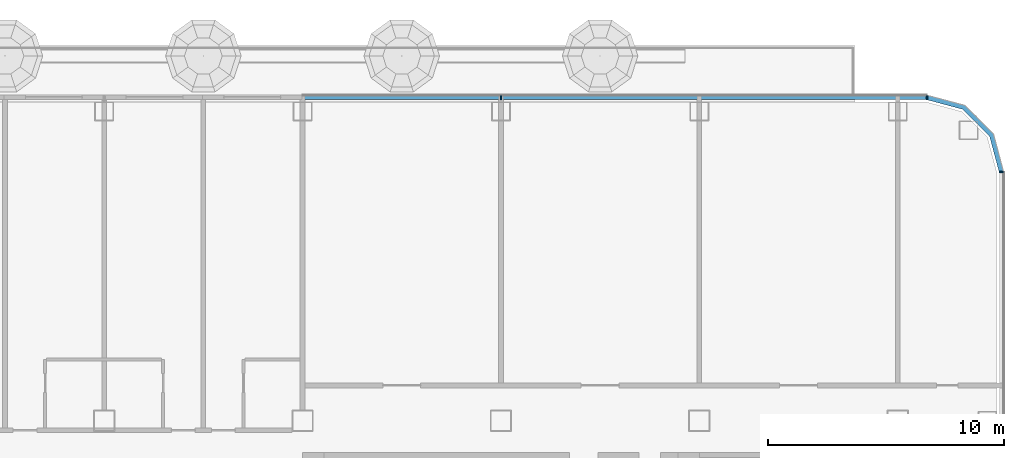
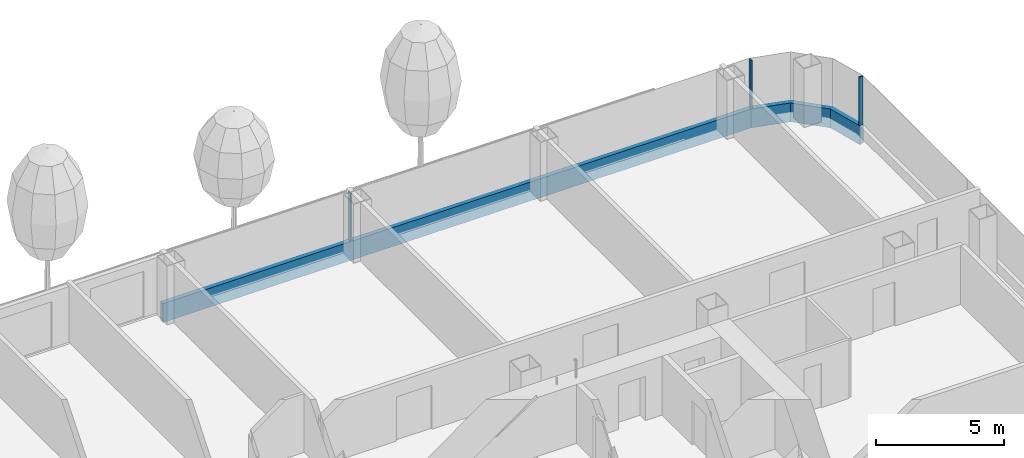
# One storey, part 9 of 34: 5 members, 3 elements without a shape of their own.
"""IFC4 building model written with IfcOpenShell, lengths in metres."""

from ifc_helpers import new_model, si_unit, direction, frame, origin, origin_2d, place, context, subcontext, project, spatial, polyline, rectangle, outline, extrude, material, layer, layer_set, material_profile, profile_set, type_object, element, aggregate, save


model = new_model("IFC4")

# Units and contexts
model_context = context("Model", 3, precision=1e-05, world=origin(), true_north=direction((0.0, 1.0)))
body_context = subcontext(model_context, "Body", "Model", "MODEL_VIEW")
ifc_project = project(units=[si_unit("LENGTHUNIT", "METRE"), si_unit("AREAUNIT", "SQUARE_METRE"), si_unit("VOLUMEUNIT", "CUBIC_METRE"), si_unit("PLANEANGLEUNIT", "RADIAN"), si_unit("MASSUNIT", "GRAM", prefix="KILO")], contexts=[model_context])

# Site, building, storey
site_placement = place(None, origin())
site = spatial("IfcSite", under=ifc_project, at=site_placement, CompositionType="ELEMENT")
building_placement = place(site_placement, origin())
building = spatial("IfcBuilding", under=site, at=building_placement, Name="Hakoniwa Tower and Hamabe Station Hall", CompositionType="ELEMENT")
storey_placement = place(building_placement, frame((0.0, 0.0, 94.60009765625)))
storey = spatial("IfcBuildingStorey", under=building, at=storey_placement, Name="L26", CompositionType="ELEMENT", Elevation=94.60009765625)

# Curtain wall, member
ifc_material_1 = material(Name="Dark low-e laminated glass", Category="glass")
ifc_layer = layer(ifc_material_1, 0.199951171875)
ifc_layer_set = layer_set([ifc_layer], Name="CW-1 UNITISED GUEST")
curtain_wall_type = type_object("IfcCurtainWallType", Name="CW-1 UNITISED GUEST", PredefinedType="NOTDEFINED", material=ifc_layer_set)
curtain_wall_1_placement = place(storey_placement, origin())
curtain_wall_1 = element("IfcCurtainWall", 1, at=curtain_wall_1_placement, inside=storey, type_object=curtain_wall_type, Name="CW-1 curtain wall", PredefinedType="NOTDEFINED")
ifc_material_2 = material(Name="Aluminium 6063-T5 black anodised", Category="aluminium")
ifc_material_profile_1 = material_profile(ifc_material_2, rectangle(XDim=0.199951171875, YDim=0.89990234375, at=origin_2d()), Name="CW SLAB-EDGE BAND 900X200")
ifc_profile_set_1 = profile_set([ifc_material_profile_1], Name="Aluminium 6063-T5 black anodised")
member_type_1 = type_object("IfcMemberType", Name="CW SLAB-EDGE BAND 900X200", PredefinedType="USERDEFINED", material=ifc_profile_set_1)
member_1_placement = place(storey_placement, frame((0.0, 0.0, -0.550048828125)))
member_1 = element("IfcMember", 2, at=member_1_placement, type_object=member_type_1, Name="CW-1 transom", ObjectType="TRANSOM", PredefinedType="USERDEFINED", context=body_context, shape_type="SweptSolid", body=[
    extrude(outline(polyline([(46.5, 20.28955078125), (46.067138671875, 21.9052734375), (44.855224609375, 23.116943359375), (43.239501953125, 23.550048828125), (43.187744140625, 23.35693359375), (44.751708984375, 22.937744140625), (45.8876953125, 21.8017578125), (46.306884765625, 20.23779296875), (46.5, 20.28955078125)])), origin(), (0.0, 0.0, 1.0), 0.89990234375),
])
aggregate(curtain_wall_1, [member_1])

curtain_wall_2_placement = place(storey_placement, origin())
curtain_wall_2 = element("IfcCurtainWall", 3, at=curtain_wall_2_placement, inside=storey, type_object=curtain_wall_type, Name="CW-1 curtain wall", PredefinedType="NOTDEFINED")
member_2_placement = place(storey_placement, frame((43.239501953125, 23.449951171875, -0.10009765625), z_axis=(-1.0, 0.0, 0.0), x_axis=(0.0, -1.0, 0.0)))
member_2 = element("IfcMember", 4, at=member_2_placement, type_object=member_type_1, Name="CW-1 transom", ObjectType="TRANSOM", PredefinedType="USERDEFINED", context=body_context, shape_type="SweptSolid", body=[
    extrude(rectangle(XDim=0.199951171875, YDim=0.89990234375, at=origin_2d()), origin(), (0.0, 0.0, 1.0), 26.49951171875),
])

curtain_wall_3_placement = place(storey_placement, origin())
curtain_wall_3 = element("IfcCurtainWall", 5, at=curtain_wall_3_placement, inside=storey, type_object=curtain_wall_type, Name="CW-1 curtain wall", PredefinedType="NOTDEFINED")
ifc_material_3 = material(Name="Aluminium 6063-T5 black anodised", Category="aluminium")
ifc_material_profile_2 = material_profile(ifc_material_3, rectangle(XDim=0.06005859375, YDim=0.179931640625, at=origin_2d()), Name="CW-1 MULLION 60X180")
ifc_profile_set_2 = profile_set([ifc_material_profile_2], Name="Aluminium 6063-T5 black anodised")
member_type_2 = type_object("IfcMemberType", Name="CW-1 MULLION 60X180", PredefinedType="MULLION", material=ifc_profile_set_2)
member_3_placement = place(storey_placement, frame((46.382080078125, 20.28955078125, 0.349853515625), z_axis=(0.0, 0.0, 1.0), x_axis=(0.0, 1.0, 0.0)))
member_3 = element("IfcMember", 6, at=member_3_placement, type_object=member_type_2, Name="CW-1 mullion", PredefinedType="MULLION", context=body_context, shape_type="SweptSolid", body=[
    extrude(rectangle(XDim=0.06005859375, YDim=0.179931640625, at=origin_2d()), origin(), (0.0, 0.0, 1.0), 2.300048828125),
])
aggregate(curtain_wall_3, [member_3])

# Member
member_4_placement = place(storey_placement, frame((43.239501953125, 23.431884765625, 0.349853515625), z_axis=(0.0, 0.0, 1.0), x_axis=(-1.0, 0.0, 0.0)))
member_4 = element("IfcMember", 7, at=member_4_placement, type_object=member_type_2, Name="CW-1 mullion", PredefinedType="MULLION", context=body_context, shape_type="SweptSolid", body=[
    extrude(rectangle(XDim=0.06005859375, YDim=0.179931640625, at=origin_2d()), origin(), (0.0, 0.0, 1.0), 2.300048828125),
])

member_5_placement = place(storey_placement, frame((25.199951171875, 23.431884765625, 0.349853515625), z_axis=(0.0, 0.0, 1.0), x_axis=(-1.0, 0.0, 0.0)))
member_5 = element("IfcMember", 8, at=member_5_placement, type_object=member_type_2, Name="CW-1 mullion", PredefinedType="MULLION", context=body_context, shape_type="SweptSolid", body=[
    extrude(rectangle(XDim=0.06005859375, YDim=0.179931640625, at=origin_2d()), origin(), (0.0, 0.0, 1.0), 2.300048828125),
])

aggregate(curtain_wall_2, [member_4, member_5, member_2])

save(model, "model.ifc")
